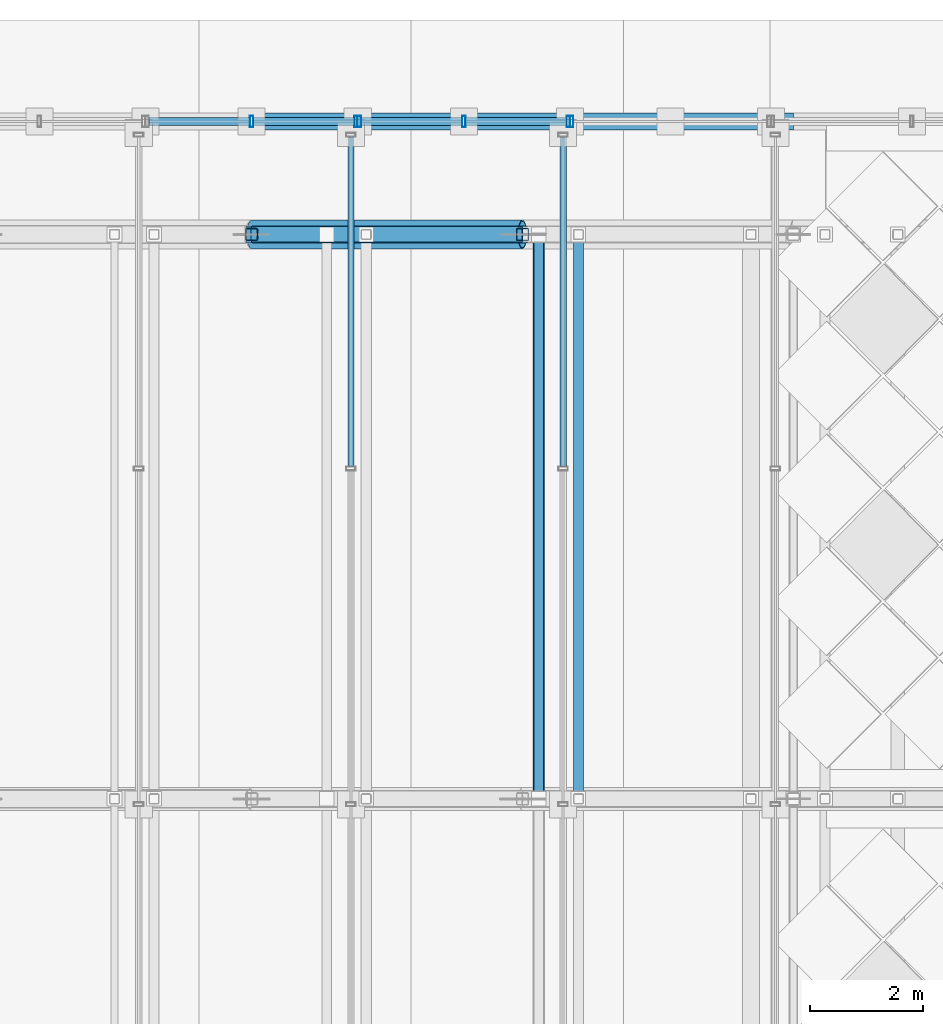
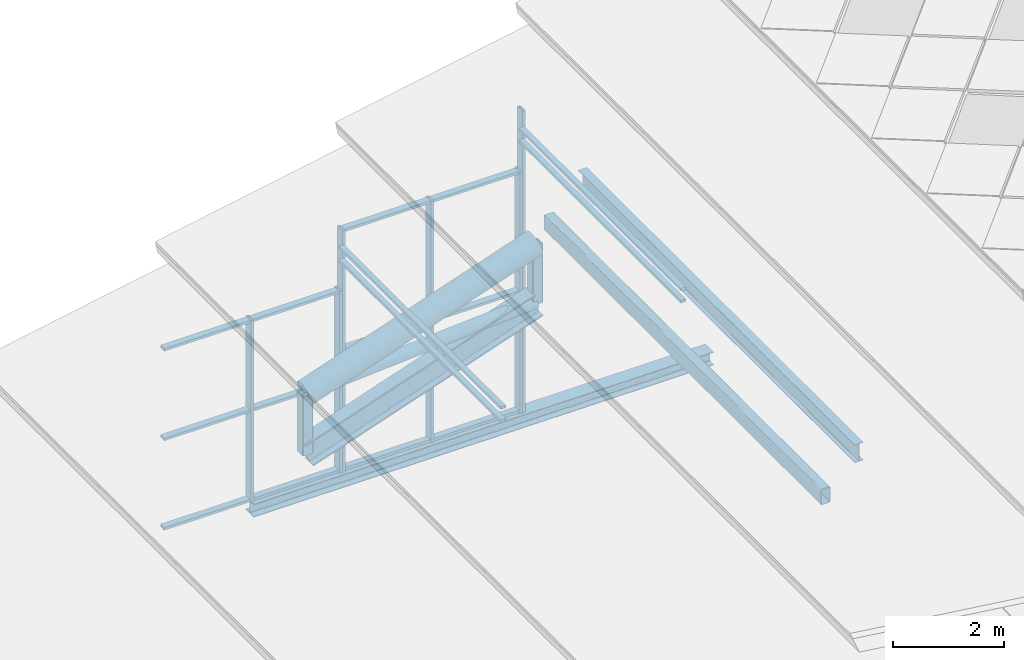
# One storey, part 33 of 117: 29 members, 1 beam, 5 elements without a shape of their own.
"""IFC4 building model written with IfcOpenShell, lengths in metres."""

from ifc_helpers import new_model, si_unit, direction, frame, origin, origin_2d, place, context, subcontext, project, spatial, hollow_rectangle, hollow_circle, i_section, extrude, material, material_profile, profile_set, type_object, element, aggregate, save


model = new_model("IFC4")

# Units and contexts
model_context = context("Model", 3, precision=1e-05, world=origin(), true_north=direction((0.0, 1.0)))
body_context = subcontext(model_context, "Body", "Model", "MODEL_VIEW")
ifc_project = project(units=[si_unit("LENGTHUNIT", "METRE"), si_unit("AREAUNIT", "SQUARE_METRE"), si_unit("VOLUMEUNIT", "CUBIC_METRE"), si_unit("PLANEANGLEUNIT", "RADIAN"), si_unit("MASSUNIT", "GRAM", prefix="KILO")], contexts=[model_context])

# Site, building, storey
site_placement = place(None, origin())
site = spatial("IfcSite", under=ifc_project, at=site_placement, CompositionType="ELEMENT")
building_placement = place(site_placement, origin())
building = spatial("IfcBuilding", under=site, at=building_placement, Name="Merenkruunu Market Hall", CompositionType="ELEMENT")
storey_placement = place(building_placement, frame((0.0, 0.0, 22.800048828125)))
storey = spatial("IfcBuildingStorey", under=building, at=storey_placement, Name="RF", CompositionType="ELEMENT", Elevation=22.800048828125)

# Members
ifc_material_1 = material(Name="Steel S355ML", Category="steel")
ifc_material_profile_1 = material_profile(ifc_material_1, hollow_circle(Radius=0.25390625, WallThickness=0.02001953125, at=origin_2d()), Name="CHS 508x20")
ifc_profile_set_1 = profile_set([ifc_material_profile_1], Name="Steel S355ML")
member_type_1 = type_object("IfcMemberType", Name="Arch Truss Chord TC01", PredefinedType="CHORD", material=ifc_profile_set_1)
member_1_placement = place(storey_placement, frame((9.60009765625, 109.60009765625, -5.12109375), z_axis=(0.946219828174, 0.0, 0.323524399033), x_axis=(0.0, 1.0, 0.0)))
element("IfcMember", 1, at=member_1_placement, inside=storey, type_object=member_type_1, Name="TRUSS-AT-G-TOP-03", PredefinedType="CHORD", context=body_context, shape_type="SweptSolid", body=[
    extrude(hollow_circle(Radius=0.25390625, WallThickness=0.02001953125, at=origin_2d()), origin(), (0.0, 0.0, 1.0), 5.072509765625),
])
ifc_material_profile_2 = material_profile(ifc_material_1, i_section(OverallWidth=0.300048828125, OverallDepth=0.550048828125, WebThickness=0.014892578125, FlangeThickness=0.029052734375, FilletRadius=0.027099609375, at=origin_2d()), Name="HEB 550")
ifc_profile_set_2 = profile_set([ifc_material_profile_2], Name="Steel S355ML")
member_type_2 = type_object("IfcMemberType", Name="Arch Truss Chord TC03", PredefinedType="CHORD", material=ifc_profile_set_2)
member_2_placement = place(storey_placement, frame((9.60009765625, 109.60009765625, -6.421142578125), z_axis=(0.946219828174, 0.0, 0.323524399033), x_axis=(0.0, 1.0, 0.0)))
element("IfcMember", 2, at=member_2_placement, inside=storey, type_object=member_type_2, Name="TRUSS-AT-G-BOT-03", PredefinedType="CHORD", context=body_context, shape_type="SweptSolid", body=[
    extrude(i_section(OverallWidth=0.300048828125, OverallDepth=0.550048828125, WebThickness=0.014892578125, FlangeThickness=0.029052734375, FilletRadius=0.027099609375, at=origin_2d()), origin(), (0.0, 0.0, 1.0), 5.072509765625),
])

# Curtain wall, members
ifc_material_2 = material(Name="Powder-coated aluminium", Category="aluminium")
curtain_wall_type_1 = type_object("IfcCurtainWallType", Name="Glazed Curtain Wall CW17", PredefinedType="USERDEFINED", material=ifc_material_2)
curtain_wall_1_placement = place(storey_placement, origin())
curtain_wall_1 = element("IfcCurtainWall", 3, at=curtain_wall_1_placement, inside=storey, type_object=curtain_wall_type_1, Name="CW-RF-CWM03-069", ObjectType="GLAZED_FACADE", PredefinedType="USERDEFINED")
ifc_material_profile_3 = material_profile(ifc_material_2, hollow_rectangle(XDim=0.06005859375, YDim=0.199951171875, WallThickness=0.0048828125, at=origin_2d()), Name="ALU 60x200x5")
ifc_profile_set_3 = profile_set([ifc_material_profile_3], Name="Powder-coated aluminium")
member_type_3 = type_object("IfcMemberType", Name="Curtain Wall Mullion CWM03", PredefinedType="MULLION", material=ifc_profile_set_3)
member_3_placement = place(storey_placement, frame((9.60009765625, 111.60009765625, -8.68994140625), z_axis=(0.0, 0.0, 1.0), x_axis=(1.0, 0.0, 0.0)))
member_3 = element("IfcMember", 4, at=member_3_placement, type_object=member_type_3, Name="CW17 mullion 2", PredefinedType="MULLION", context=body_context, shape_type="SweptSolid", body=[
    extrude(hollow_rectangle(XDim=0.06005859375, YDim=0.199951171875, WallThickness=0.0048828125, at=origin_2d()), origin(), (0.0, 0.0, 1.0), 4.010009765625),
])
member_4_placement = place(storey_placement, frame((11.449951171875, 111.60009765625, -8.68994140625), z_axis=(0.0, 0.0, 1.0), x_axis=(1.0, 0.0, 0.0)))
member_4 = element("IfcMember", 5, at=member_4_placement, type_object=member_type_3, Name="CW17 mullion 3", PredefinedType="MULLION", context=body_context, shape_type="SweptSolid", body=[
    extrude(hollow_rectangle(XDim=0.06005859375, YDim=0.199951171875, WallThickness=0.0048828125, at=origin_2d()), origin(), (0.0, 0.0, 1.0), 4.010009765625),
])

curtain_wall_2_placement = place(storey_placement, origin())
curtain_wall_2 = element("IfcCurtainWall", 6, at=curtain_wall_2_placement, inside=storey, type_object=curtain_wall_type_1, Name="CW-RF-CWM03-070", ObjectType="GLAZED_FACADE", PredefinedType="USERDEFINED")
member_5_placement = place(storey_placement, frame((11.510009765625, 111.60009765625, -8.68994140625), z_axis=(0.0, 0.0, 1.0), x_axis=(1.0, 0.0, 0.0)))
member_5 = element("IfcMember", 7, at=member_5_placement, type_object=member_type_3, Name="CW17 mullion 1", PredefinedType="MULLION", context=body_context, shape_type="SweptSolid", body=[
    extrude(hollow_rectangle(XDim=0.06005859375, YDim=0.199951171875, WallThickness=0.0048828125, at=origin_2d()), origin(), (0.0, 0.0, 1.0), 5.329833984375),
])
member_6_placement = place(storey_placement, frame((13.360107421875, 111.60009765625, -8.68994140625), z_axis=(0.0, 0.0, 1.0), x_axis=(1.0, 0.0, 0.0)))
member_6 = element("IfcMember", 8, at=member_6_placement, type_object=member_type_3, Name="CW17 mullion 2", PredefinedType="MULLION", context=body_context, shape_type="SweptSolid", body=[
    extrude(hollow_rectangle(XDim=0.06005859375, YDim=0.199951171875, WallThickness=0.0048828125, at=origin_2d()), origin(), (0.0, 0.0, 1.0), 5.329833984375),
])
member_7_placement = place(storey_placement, frame((15.2099609375, 111.60009765625, -8.68994140625), z_axis=(0.0, 0.0, 1.0), x_axis=(1.0, 0.0, 0.0)))
member_7 = element("IfcMember", 9, at=member_7_placement, type_object=member_type_3, Name="CW17 mullion 3", PredefinedType="MULLION", context=body_context, shape_type="SweptSolid", body=[
    extrude(hollow_rectangle(XDim=0.06005859375, YDim=0.199951171875, WallThickness=0.0048828125, at=origin_2d()), origin(), (0.0, 0.0, 1.0), 5.329833984375),
])

# Curtain wall, member
curtain_wall_type_2 = type_object("IfcCurtainWallType", Name="Glazed Curtain Wall CW18", PredefinedType="USERDEFINED", material=ifc_material_2)
curtain_wall_3_placement = place(storey_placement, origin())
curtain_wall_3 = element("IfcCurtainWall", 10, at=curtain_wall_3_placement, inside=storey, type_object=curtain_wall_type_2, Name="CW-RF-CWM03-071", ObjectType="GLAZED_FACADE", PredefinedType="USERDEFINED")
member_8_placement = place(storey_placement, frame((15.27001953125, 111.60009765625, -8.68994140625), z_axis=(0.0, 0.0, 1.0), x_axis=(1.0, 0.0, 0.0)))
member_8 = element("IfcMember", 11, at=member_8_placement, type_object=member_type_3, Name="CW18 mullion 1", PredefinedType="MULLION", context=body_context, shape_type="SweptSolid", body=[
    extrude(hollow_rectangle(XDim=0.06005859375, YDim=0.199951171875, WallThickness=0.0048828125, at=origin_2d()), origin(), (0.0, 0.0, 1.0), 6.64990234375),
])
aggregate(curtain_wall_3, [member_8])

# Member
ifc_material_profile_4 = material_profile(ifc_material_2, hollow_rectangle(XDim=0.06005859375, YDim=0.139892578125, WallThickness=0.00390625, at=origin_2d()), Name="ALU 60x140x4")
ifc_profile_set_4 = profile_set([ifc_material_profile_4], Name="Powder-coated aluminium")
member_type_4 = type_object("IfcMemberType", Name="Curtain Wall Transom CWT02", PredefinedType="USERDEFINED", material=ifc_profile_set_4)
member_9_placement = place(storey_placement, frame((7.780029296875, 111.60009765625, -8.66015625), z_axis=(1.0, 0.0, 0.0), x_axis=(0.0, 0.0, 1.0)))
member_9 = element("IfcMember", 12, at=member_9_placement, type_object=member_type_4, Name="CW17 transom 1.1", ObjectType="TRANSOM", PredefinedType="USERDEFINED", context=body_context, shape_type="SweptSolid", body=[
    extrude(hollow_rectangle(XDim=0.06005859375, YDim=0.139892578125, WallThickness=0.00390625, at=origin_2d()), origin(), (0.0, 0.0, 1.0), 1.7900390625),
])

member_10_placement = place(storey_placement, frame((7.780029296875, 111.60009765625, -6.68505859375), z_axis=(1.0, 0.0, 0.0), x_axis=(0.0, 0.0, 1.0)))
member_10 = element("IfcMember", 13, at=member_10_placement, type_object=member_type_4, Name="CW17 transom 1.2", ObjectType="TRANSOM", PredefinedType="USERDEFINED", context=body_context, shape_type="SweptSolid", body=[
    extrude(hollow_rectangle(XDim=0.06005859375, YDim=0.139892578125, WallThickness=0.00390625, at=origin_2d()), origin(), (0.0, 0.0, 1.0), 1.7900390625),
])

member_11_placement = place(storey_placement, frame((7.780029296875, 111.60009765625, -4.7099609375), z_axis=(1.0, 0.0, 0.0), x_axis=(0.0, 0.0, 1.0)))
member_11 = element("IfcMember", 14, at=member_11_placement, type_object=member_type_4, Name="CW17 transom 1.3", ObjectType="TRANSOM", PredefinedType="USERDEFINED", context=body_context, shape_type="SweptSolid", body=[
    extrude(hollow_rectangle(XDim=0.06005859375, YDim=0.139892578125, WallThickness=0.00390625, at=origin_2d()), origin(), (0.0, 0.0, 1.0), 1.7900390625),
])

member_12_placement = place(storey_placement, frame((9.6298828125, 111.60009765625, -8.66015625), z_axis=(1.0, 0.0, 0.0), x_axis=(0.0, 0.0, 1.0)))
member_12 = element("IfcMember", 15, at=member_12_placement, type_object=member_type_4, Name="CW17 transom 2.1", ObjectType="TRANSOM", PredefinedType="USERDEFINED", context=body_context, shape_type="SweptSolid", body=[
    extrude(hollow_rectangle(XDim=0.06005859375, YDim=0.139892578125, WallThickness=0.00390625, at=origin_2d()), origin(), (0.0, 0.0, 1.0), 1.7900390625),
])

member_13_placement = place(storey_placement, frame((9.6298828125, 111.60009765625, -6.68505859375), z_axis=(1.0, 0.0, 0.0), x_axis=(0.0, 0.0, 1.0)))
member_13 = element("IfcMember", 16, at=member_13_placement, type_object=member_type_4, Name="CW17 transom 2.2", ObjectType="TRANSOM", PredefinedType="USERDEFINED", context=body_context, shape_type="SweptSolid", body=[
    extrude(hollow_rectangle(XDim=0.06005859375, YDim=0.139892578125, WallThickness=0.00390625, at=origin_2d()), origin(), (0.0, 0.0, 1.0), 1.7900390625),
])

member_14_placement = place(storey_placement, frame((9.6298828125, 111.60009765625, -4.7099609375), z_axis=(1.0, 0.0, 0.0), x_axis=(0.0, 0.0, 1.0)))
member_14 = element("IfcMember", 17, at=member_14_placement, type_object=member_type_4, Name="CW17 transom 2.3", ObjectType="TRANSOM", PredefinedType="USERDEFINED", context=body_context, shape_type="SweptSolid", body=[
    extrude(hollow_rectangle(XDim=0.06005859375, YDim=0.139892578125, WallThickness=0.00390625, at=origin_2d()), origin(), (0.0, 0.0, 1.0), 1.7900390625),
])

aggregate(curtain_wall_1, [member_3, member_4, member_9, member_10, member_11, member_12, member_13, member_14])

member_15_placement = place(storey_placement, frame((11.5400390625, 111.60009765625, -8.66015625), z_axis=(1.0, 0.0, 0.0), x_axis=(0.0, 0.0, 1.0)))
member_15 = element("IfcMember", 18, at=member_15_placement, type_object=member_type_4, Name="CW17 transom 1.1", ObjectType="TRANSOM", PredefinedType="USERDEFINED", context=body_context, shape_type="SweptSolid", body=[
    extrude(hollow_rectangle(XDim=0.06005859375, YDim=0.139892578125, WallThickness=0.00390625, at=origin_2d()), origin(), (0.0, 0.0, 1.0), 1.7900390625),
])

member_16_placement = place(storey_placement, frame((11.5400390625, 111.60009765625, -6.025146484375), z_axis=(1.0, 0.0, 0.0), x_axis=(0.0, 0.0, 1.0)))
member_16 = element("IfcMember", 19, at=member_16_placement, type_object=member_type_4, Name="CW17 transom 1.2", ObjectType="TRANSOM", PredefinedType="USERDEFINED", context=body_context, shape_type="SweptSolid", body=[
    extrude(hollow_rectangle(XDim=0.06005859375, YDim=0.139892578125, WallThickness=0.00390625, at=origin_2d()), origin(), (0.0, 0.0, 1.0), 1.7900390625),
])

member_17_placement = place(storey_placement, frame((11.5400390625, 111.60009765625, -3.39013671875), z_axis=(1.0, 0.0, 0.0), x_axis=(0.0, 0.0, 1.0)))
member_17 = element("IfcMember", 20, at=member_17_placement, type_object=member_type_4, Name="CW17 transom 1.3", ObjectType="TRANSOM", PredefinedType="USERDEFINED", context=body_context, shape_type="SweptSolid", body=[
    extrude(hollow_rectangle(XDim=0.06005859375, YDim=0.139892578125, WallThickness=0.00390625, at=origin_2d()), origin(), (0.0, 0.0, 1.0), 1.7900390625),
])

member_18_placement = place(storey_placement, frame((13.389892578125, 111.60009765625, -8.66015625), z_axis=(1.0, 0.0, 0.0), x_axis=(0.0, 0.0, 1.0)))
member_18 = element("IfcMember", 21, at=member_18_placement, type_object=member_type_4, Name="CW17 transom 2.1", ObjectType="TRANSOM", PredefinedType="USERDEFINED", context=body_context, shape_type="SweptSolid", body=[
    extrude(hollow_rectangle(XDim=0.06005859375, YDim=0.139892578125, WallThickness=0.00390625, at=origin_2d()), origin(), (0.0, 0.0, 1.0), 1.7900390625),
])

member_19_placement = place(storey_placement, frame((13.389892578125, 111.60009765625, -6.025146484375), z_axis=(1.0, 0.0, 0.0), x_axis=(0.0, 0.0, 1.0)))
member_19 = element("IfcMember", 22, at=member_19_placement, type_object=member_type_4, Name="CW17 transom 2.2", ObjectType="TRANSOM", PredefinedType="USERDEFINED", context=body_context, shape_type="SweptSolid", body=[
    extrude(hollow_rectangle(XDim=0.06005859375, YDim=0.139892578125, WallThickness=0.00390625, at=origin_2d()), origin(), (0.0, 0.0, 1.0), 1.7900390625),
])

member_20_placement = place(storey_placement, frame((13.389892578125, 111.60009765625, -3.39013671875), z_axis=(1.0, 0.0, 0.0), x_axis=(0.0, 0.0, 1.0)))
member_20 = element("IfcMember", 23, at=member_20_placement, type_object=member_type_4, Name="CW17 transom 2.3", ObjectType="TRANSOM", PredefinedType="USERDEFINED", context=body_context, shape_type="SweptSolid", body=[
    extrude(hollow_rectangle(XDim=0.06005859375, YDim=0.139892578125, WallThickness=0.00390625, at=origin_2d()), origin(), (0.0, 0.0, 1.0), 1.7900390625),
])

aggregate(curtain_wall_2, [member_5, member_6, member_7, member_15, member_16, member_17, member_18, member_19, member_20])

# Curtain wall, members
curtain_wall_type_3 = type_object("IfcCurtainWallType", Name="Clerestory Curtain Band CL05", PredefinedType="USERDEFINED", material=ifc_material_2)
curtain_wall_4_placement = place(storey_placement, origin())
curtain_wall_4 = element("IfcCurtainWall", 24, at=curtain_wall_4_placement, inside=storey, type_object=curtain_wall_type_3, Name="CW-RF-CWM04-103", ObjectType="CLERESTORY_BAND", PredefinedType="USERDEFINED")
ifc_material_profile_5 = material_profile(ifc_material_2, hollow_rectangle(XDim=0.06005859375, YDim=0.110107421875, WallThickness=0.00390625, at=origin_2d()), Name="ALU 60x110x4")
ifc_profile_set_5 = profile_set([ifc_material_profile_5], Name="Powder-coated aluminium")
member_type_5 = type_object("IfcMemberType", Name="Curtain Wall Transom CWT03", PredefinedType="USERDEFINED", material=ifc_profile_set_5)
member_21_placement = place(storey_placement, frame((11.360107421875, 105.485107421875, -3.85205078125), z_axis=(0.0, 1.0, 0.0), x_axis=(0.0, 0.0, 1.0)))
member_21 = element("IfcMember", 25, at=member_21_placement, type_object=member_type_5, Name="CL05 transom 4.1", ObjectType="TRANSOM", PredefinedType="USERDEFINED", context=body_context, shape_type="SweptSolid", body=[
    extrude(hollow_rectangle(XDim=0.06005859375, YDim=0.110107421875, WallThickness=0.00390625, at=origin_2d()), origin(), (0.0, 0.0, 1.0), 5.844970703125),
])
member_22_placement = place(storey_placement, frame((11.360107421875, 105.485107421875, -3.56396484375), z_axis=(0.0, 1.0, 0.0), x_axis=(0.0, 0.0, 1.0)))
member_22 = element("IfcMember", 26, at=member_22_placement, type_object=member_type_5, Name="CL05 transom 4.2", ObjectType="TRANSOM", PredefinedType="USERDEFINED", context=body_context, shape_type="SweptSolid", body=[
    extrude(hollow_rectangle(XDim=0.06005859375, YDim=0.110107421875, WallThickness=0.00390625, at=origin_2d()), origin(), (0.0, 0.0, 1.0), 5.844970703125),
])
aggregate(curtain_wall_4, [member_21, member_22])

curtain_wall_5_placement = place(storey_placement, origin())
curtain_wall_5 = element("IfcCurtainWall", 27, at=curtain_wall_5_placement, inside=storey, type_object=curtain_wall_type_3, Name="CW-RF-CWM04-111", ObjectType="CLERESTORY_BAND", PredefinedType="USERDEFINED")
member_23_placement = place(storey_placement, frame((15.1201171875, 105.485107421875, -2.531982421875), z_axis=(0.0, 1.0, 0.0), x_axis=(0.0, 0.0, 1.0)))
member_23 = element("IfcMember", 28, at=member_23_placement, type_object=member_type_5, Name="CL05 transom 4.1", ObjectType="TRANSOM", PredefinedType="USERDEFINED", context=body_context, shape_type="SweptSolid", body=[
    extrude(hollow_rectangle(XDim=0.06005859375, YDim=0.110107421875, WallThickness=0.00390625, at=origin_2d()), origin(), (0.0, 0.0, 1.0), 5.844970703125),
])
member_24_placement = place(storey_placement, frame((15.1201171875, 105.485107421875, -2.26513671875), z_axis=(0.0, 1.0, 0.0), x_axis=(0.0, 0.0, 1.0)))
member_24 = element("IfcMember", 29, at=member_24_placement, type_object=member_type_5, Name="CL05 transom 4.2", ObjectType="TRANSOM", PredefinedType="USERDEFINED", context=body_context, shape_type="SweptSolid", body=[
    extrude(hollow_rectangle(XDim=0.06005859375, YDim=0.110107421875, WallThickness=0.00390625, at=origin_2d()), origin(), (0.0, 0.0, 1.0), 5.844970703125),
])
aggregate(curtain_wall_5, [member_23, member_24])

# Members
ifc_material_profile_6 = material_profile(ifc_material_1, hollow_circle(Radius=0.136474609375, WallThickness=0.012451171875, at=origin_2d()), Name="CHS 273x12.5")
ifc_profile_set_6 = profile_set([ifc_material_profile_6], Name="Steel S355ML")
member_type_6 = type_object("IfcMemberType", Name="Diagonal Sway Brace BR02", PredefinedType="BRACE", material=ifc_profile_set_6)
member_25_placement = place(storey_placement, frame((9.60009765625, 109.60009765625, -5.12109375), z_axis=(0.997484901828, 0.0, 0.070879267948), x_axis=(0.0, 1.0, 0.0)))
element("IfcMember", 30, at=member_25_placement, inside=storey, type_object=member_type_6, Name="TRUSS-AT-G-DIAG-03", PredefinedType="BRACE", context=body_context, shape_type="SweptSolid", body=[
    extrude(hollow_circle(Radius=0.136474609375, WallThickness=0.012451171875, at=origin_2d()), origin(), (0.0, 0.0, 1.0), 4.81201171875),
])
ifc_material_3 = material(Name="Steel S355J2", Category="steel")
ifc_material_profile_7 = material_profile(ifc_material_3, hollow_rectangle(XDim=0.219970703125, YDim=0.219970703125, WallThickness=0.012451171875, InnerFilletRadius=0.012451171875, OuterFilletRadius=0.02490234375, at=origin_2d()), Name="SHS 220x220x12.5")
ifc_profile_set_7 = profile_set([ifc_material_profile_7], Name="Steel S355J2")
member_type_7 = type_object("IfcMemberType", Name="Diagonal Sway Brace BR04", PredefinedType="BRACE", material=ifc_profile_set_7)
for number, where, z_axis, x_axis, name in (
    (31, (9.60009765625, 109.60009765625, -6.421142578125), (0.0, 0.0, 1.0), (1.0, 0.0, 0.0), "TRUSS-AT-G-POST-02"),
    (32, (14.39990234375, 109.60009765625, -4.780029296875), (0.0, 0.0, 1.0), (1.0, 0.0, 0.0), "TRUSS-AT-G-POST-03"),
):
    element("IfcMember", number, at=place(storey_placement, frame(where, z_axis=z_axis, x_axis=x_axis)), inside=storey, type_object=member_type_7, Name=name, PredefinedType="BRACE", context=body_context, shape_type="SweptSolid", body=[
        extrude(hollow_rectangle(XDim=0.219970703125, YDim=0.219970703125, WallThickness=0.012451171875, InnerFilletRadius=0.012451171875, OuterFilletRadius=0.02490234375, at=origin_2d()), origin(), (0.0, 0.0, 1.0), 1.300048828125),
    ])

# Beam
ifc_material_profile_8 = material_profile(ifc_material_3, i_section(OverallWidth=0.300048828125, OverallDepth=0.2900390625, WebThickness=0.008544921875, FlangeThickness=0.013916015625, FilletRadius=0.027099609375, at=origin_2d()), Name="HEA 300")
ifc_profile_set_8 = profile_set([ifc_material_profile_8], Name="Steel S355J2")
beam_type = type_object("IfcBeamType", Name="Primary Floor Girder B09", PredefinedType="BEAM", material=ifc_profile_set_8)
beam_placement = place(storey_placement, frame((9.60009765625, 111.60009765625, -8.844970703125), z_axis=(1.0, 0.0, 0.0), x_axis=(0.0, 1.0, 0.0)))
element("IfcBeam", 33, at=beam_placement, inside=storey, type_object=beam_type, Name="BM-RF-B09-1245", PredefinedType="BEAM", context=body_context, shape_type="SweptSolid", body=[
    extrude(i_section(OverallWidth=0.300048828125, OverallDepth=0.2900390625, WebThickness=0.008544921875, FlangeThickness=0.013916015625, FilletRadius=0.027099609375, at=origin_2d()), origin(), (0.0, 0.0, 1.0), 9.599853515625),
])

# Members
ifc_material_profile_9 = material_profile(ifc_material_1, hollow_rectangle(XDim=0.199951171875, YDim=0.35009765625, WallThickness=0.012451171875, InnerFilletRadius=0.012451171875, OuterFilletRadius=0.02490234375, at=origin_2d()), Name="RHS 350x200x12.5")
ifc_profile_set_9 = profile_set([ifc_material_profile_9], Name="Steel S355ML")
member_type_8 = type_object("IfcMemberType", Name="Roof Purlin Rafter PR06", PredefinedType="PURLIN", material=ifc_profile_set_9)
member_26_placement = place(storey_placement, frame((14.68994140625, 99.60009765625, -3.10986328125), z_axis=(0.0, 1.0, 0.0), x_axis=(-1.0, 0.0, 0.0)))
element("IfcMember", 34, at=member_26_placement, inside=storey, type_object=member_type_8, Name="MEM-RF-PURL-W-127", PredefinedType="PURLIN", context=body_context, shape_type="SweptSolid", body=[
    extrude(hollow_rectangle(XDim=0.199951171875, YDim=0.35009765625, WallThickness=0.012451171875, InnerFilletRadius=0.012451171875, OuterFilletRadius=0.02490234375, at=origin_2d()), origin(), (0.0, 0.0, 1.0), 10.0),
])
ifc_material_profile_10 = material_profile(ifc_material_1, i_section(OverallWidth=0.179931640625, OverallDepth=0.39990234375, WebThickness=0.008544921875, FlangeThickness=0.013427734375, FilletRadius=0.02099609375, at=origin_2d()), Name="IPE 400")
ifc_profile_set_10 = profile_set([ifc_material_profile_10], Name="Steel S355ML")
member_type_9 = type_object("IfcMemberType", Name="Roof Purlin Rafter PR09", PredefinedType="PURLIN", material=ifc_profile_set_10)
member_27_placement = place(storey_placement, frame((15.389892578125, 99.60009765625, -2.400390625), z_axis=(0.0, 1.0, 0.0), x_axis=(-1.0, 0.0, 0.0)))
element("IfcMember", 35, at=member_27_placement, inside=storey, type_object=member_type_9, Name="MEM-RF-PURL-W-143", PredefinedType="PURLIN", context=body_context, shape_type="SweptSolid", body=[
    extrude(i_section(OverallWidth=0.179931640625, OverallDepth=0.39990234375, WebThickness=0.008544921875, FlangeThickness=0.013427734375, FilletRadius=0.02099609375, at=origin_2d()), origin(), (0.0, 0.0, 1.0), 10.0),
])

save(model, "model.ifc")
